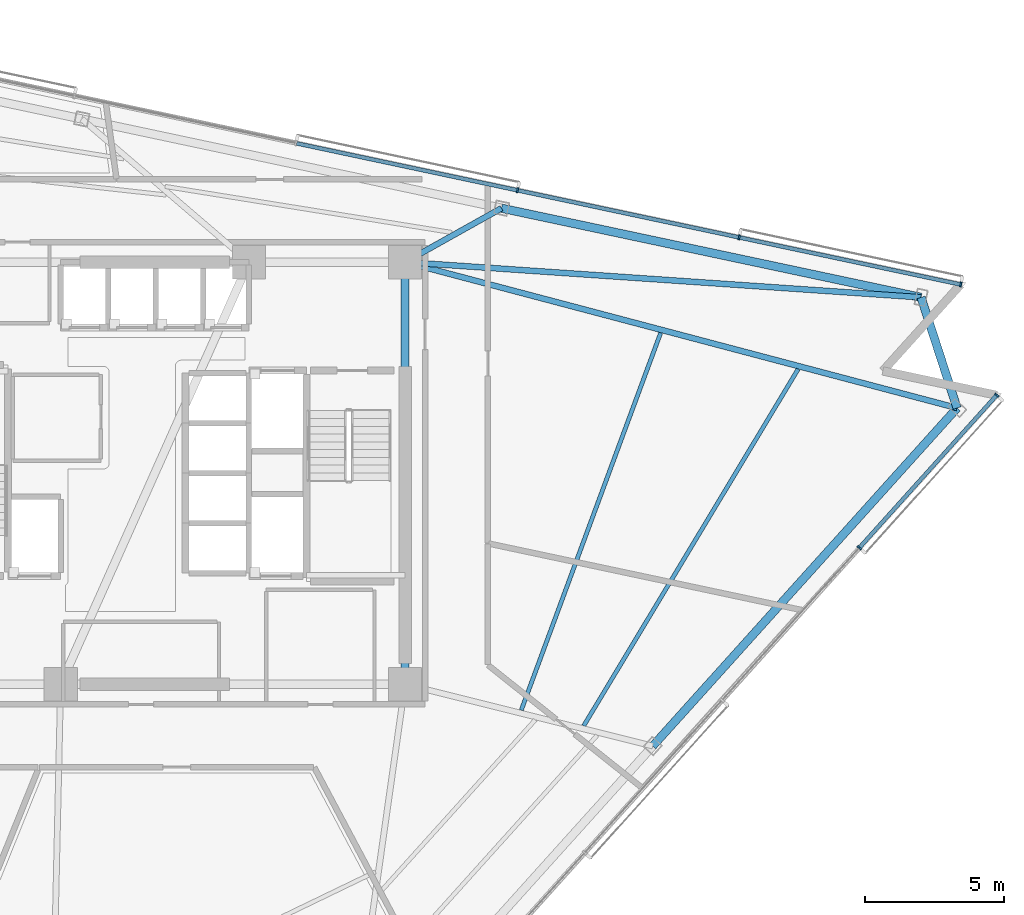
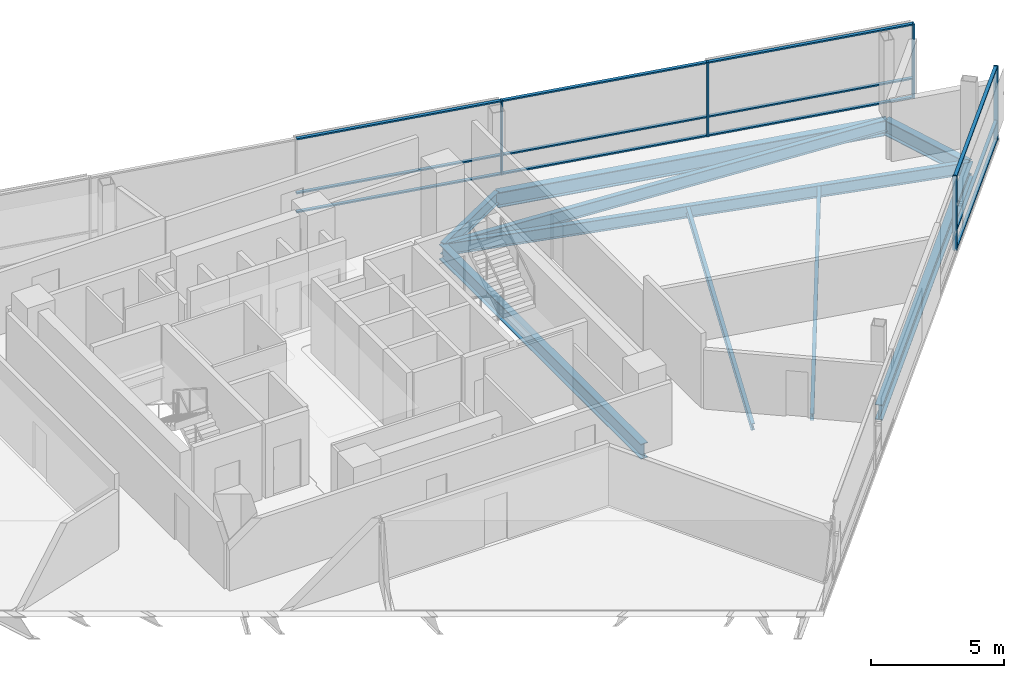
# One storey, part 8 of 17: 17 members, 9 beams, 2 elements without a shape of their own.
"""IFC4 building model written with IfcOpenShell, lengths in metres."""

from ifc_helpers import new_model, si_unit, direction, frame, origin, origin_2d, place, context, subcontext, project, spatial, rectangle, i_section, extrude, material, layer, layer_set, material_profile, profile_set, type_object, element, aggregate, save


model = new_model("IFC4")

# Units and contexts
model_context = context("Model", 3, precision=1e-05, world=origin(), true_north=direction((0.0, 1.0)))
body_context = subcontext(model_context, "Body", "Model", "MODEL_VIEW")
ifc_project = project(units=[si_unit("LENGTHUNIT", "METRE"), si_unit("AREAUNIT", "SQUARE_METRE"), si_unit("VOLUMEUNIT", "CUBIC_METRE"), si_unit("PLANEANGLEUNIT", "RADIAN"), si_unit("MASSUNIT", "GRAM", prefix="KILO")], contexts=[model_context])

# Site, building, storey
site_placement = place(None, origin())
site = spatial("IfcSite", under=ifc_project, at=site_placement, CompositionType="ELEMENT")
building_placement = place(site_placement, origin())
building = spatial("IfcBuilding", under=site, at=building_placement, Name="Tharavind Bronze Gate", CompositionType="ELEMENT")
storey_placement = place(building_placement, frame((0.0, 0.0, 200.449951171875)))
storey = spatial("IfcBuildingStorey", under=building, at=storey_placement, Name="L51", CompositionType="ELEMENT", Elevation=200.449951171875)

# Curtain wall, members
ifc_material_1 = material(Name="Anodised Bronze Aluminium", Category="aluminium")
ifc_layer = layer(ifc_material_1, 0.219970703125)
ifc_layer_set = layer_set([ifc_layer], Name="Anodised Bronze Aluminium")
curtain_wall_type = type_object("IfcCurtainWallType", Name="UNITISED CURTAIN WALL MID OFFICE", PredefinedType="USERDEFINED", material=ifc_layer_set)
curtain_wall_1_placement = place(storey_placement, origin())
curtain_wall_1 = element("IfcCurtainWall", 1, at=curtain_wall_1_placement, inside=storey, type_object=curtain_wall_type, Name="L51 unitised curtain wall mid office CW-L51-S2", ObjectType="UNITISED CURTAIN WALL", PredefinedType="USERDEFINED")
member_type_1 = type_object("IfcMemberType", Name="CURTAIN WALL BRONZE MULLION 65X180", PredefinedType="MULLION", material=ifc_material_1)
member_1_placement = place(storey_placement, frame((25.2548828125, -2.680908203125, 0.0), z_axis=(0.0, 0.0, 1.0), x_axis=(0.669130606359, 0.743144825477, 0.0)))
member_1 = element("IfcMember", 2, at=member_1_placement, type_object=member_type_1, Name="CW-L51-S2 mullion 7", PredefinedType="MULLION", context=body_context, shape_type="SweptSolid", body=[
    extrude(rectangle(XDim=0.06494140625, YDim=0.179931640625, at=origin_2d()), origin(), (0.0, 0.0, 1.0), 3.419921875),
])
member_2_placement = place(storey_placement, frame((30.199462890625, 2.810546875, 0.0), z_axis=(0.0, 0.0, 1.0), x_axis=(0.669130606359, 0.743144825477, 0.0)))
member_2 = element("IfcMember", 3, at=member_2_placement, type_object=member_type_1, Name="CW-L51-S2 mullion 8", PredefinedType="MULLION", context=body_context, shape_type="SweptSolid", body=[
    extrude(rectangle(XDim=0.06494140625, YDim=0.179931640625, at=origin_2d()), origin(), (0.0, 0.0, 1.0), 3.419921875),
])

curtain_wall_2_placement = place(storey_placement, origin())
curtain_wall_2 = element("IfcCurtainWall", 4, at=curtain_wall_2_placement, inside=storey, type_object=curtain_wall_type, Name="L51 unitised curtain wall mid office CW-L51-S3", ObjectType="UNITISED CURTAIN WALL", PredefinedType="USERDEFINED")
member_3_placement = place(storey_placement, frame((28.9052734375, 6.793701171875, 0.0), z_axis=(0.0, 0.0, 1.0), x_axis=(-0.978147600734, 0.207911690818, 0.0)))
member_3 = element("IfcMember", 5, at=member_3_placement, type_object=member_type_1, Name="CW-L51-S3 mullion 1", PredefinedType="MULLION", context=body_context, shape_type="SweptSolid", body=[
    extrude(rectangle(XDim=0.06494140625, YDim=0.179931640625, at=origin_2d()), origin(), (0.0, 0.0, 1.0), 3.419921875),
])
member_4_placement = place(storey_placement, frame((20.927734375, 8.4892578125, 0.0), z_axis=(0.0, 0.0, 1.0), x_axis=(-0.978147600734, 0.207911690818, 0.0)))
member_4 = element("IfcMember", 6, at=member_4_placement, type_object=member_type_1, Name="CW-L51-S3 mullion 2", PredefinedType="MULLION", context=body_context, shape_type="SweptSolid", body=[
    extrude(rectangle(XDim=0.06494140625, YDim=0.179931640625, at=origin_2d()), origin(), (0.0, 0.0, 1.0), 3.419921875),
])
member_5_placement = place(storey_placement, frame((12.9501953125, 10.184814453125, 0.0), z_axis=(0.0, 0.0, 1.0), x_axis=(-0.978147600734, 0.207911690818, 0.0)))
member_5 = element("IfcMember", 7, at=member_5_placement, type_object=member_type_1, Name="CW-L51-S3 mullion 3", PredefinedType="MULLION", context=body_context, shape_type="SweptSolid", body=[
    extrude(rectangle(XDim=0.06494140625, YDim=0.179931640625, at=origin_2d()), origin(), (0.0, 0.0, 1.0), 3.419921875),
])

# Member
member_type_2 = type_object("IfcMemberType", Name="CURTAIN WALL BRONZE TRANSOM 65X140", PredefinedType="USERDEFINED", material=ifc_material_1)
member_6_placement = place(storey_placement, frame((27.72705078125, 0.06494140625, 0.0), z_axis=(0.0, 0.0, 1.0), x_axis=(0.669130606359, 0.743144825477, 0.0)))
member_6 = element("IfcMember", 8, at=member_6_placement, type_object=member_type_2, Name="CW-L51-S2 transom TB7", ObjectType="TRANSOM", PredefinedType="USERDEFINED", context=body_context, shape_type="SweptSolid", body=[
    extrude(rectangle(XDim=7.33642578125, YDim=0.139892578125, at=origin_2d()), origin(), (0.0, 0.0, 1.0), 0.06494140625),
])

member_7_placement = place(storey_placement, frame((27.72705078125, 0.06494140625, 0.86767578125), z_axis=(0.0, 0.0, 1.0), x_axis=(0.669130606359, 0.743144825477, 0.0)))
member_7 = element("IfcMember", 9, at=member_7_placement, type_object=member_type_2, Name="CW-L51-S2 transom TS7", ObjectType="TRANSOM", PredefinedType="USERDEFINED", context=body_context, shape_type="SweptSolid", body=[
    extrude(rectangle(XDim=7.33642578125, YDim=0.139892578125, at=origin_2d()), origin(), (0.0, 0.0, 1.0), 0.06494140625),
])

member_8_placement = place(storey_placement, frame((27.72705078125, 0.06494140625, 3.35498046875), z_axis=(0.0, 0.0, 1.0), x_axis=(0.669130606359, 0.743144825477, 0.0)))
member_8 = element("IfcMember", 10, at=member_8_placement, type_object=member_type_2, Name="CW-L51-S2 transom TT7", ObjectType="TRANSOM", PredefinedType="USERDEFINED", context=body_context, shape_type="SweptSolid", body=[
    extrude(rectangle(XDim=7.33642578125, YDim=0.139892578125, at=origin_2d()), origin(), (0.0, 0.0, 1.0), 0.06494140625),
])

aggregate(curtain_wall_1, [member_1, member_2, member_6, member_7, member_8])

member_9_placement = place(storey_placement, frame((24.91650390625, 7.641357421875, 0.0), z_axis=(0.0, 0.0, 1.0), x_axis=(-0.978147600734, 0.207911690818, 0.0)))
member_9 = element("IfcMember", 11, at=member_9_placement, type_object=member_type_2, Name="CW-L51-S3 transom TB1", ObjectType="TRANSOM", PredefinedType="USERDEFINED", context=body_context, shape_type="SweptSolid", body=[
    extrude(rectangle(XDim=8.102783203125, YDim=0.139892578125, at=origin_2d()), origin(), (0.0, 0.0, 1.0), 0.06494140625),
])

member_10_placement = place(storey_placement, frame((24.91650390625, 7.641357421875, 0.86767578125), z_axis=(0.0, 0.0, 1.0), x_axis=(-0.978147600734, 0.207911690818, 0.0)))
member_10 = element("IfcMember", 12, at=member_10_placement, type_object=member_type_2, Name="CW-L51-S3 transom TS1", ObjectType="TRANSOM", PredefinedType="USERDEFINED", context=body_context, shape_type="SweptSolid", body=[
    extrude(rectangle(XDim=8.102783203125, YDim=0.139892578125, at=origin_2d()), origin(), (0.0, 0.0, 1.0), 0.06494140625),
])

member_11_placement = place(storey_placement, frame((24.91650390625, 7.641357421875, 3.35498046875), z_axis=(0.0, 0.0, 1.0), x_axis=(-0.978147600734, 0.207911690818, 0.0)))
member_11 = element("IfcMember", 13, at=member_11_placement, type_object=member_type_2, Name="CW-L51-S3 transom TT1", ObjectType="TRANSOM", PredefinedType="USERDEFINED", context=body_context, shape_type="SweptSolid", body=[
    extrude(rectangle(XDim=8.102783203125, YDim=0.139892578125, at=origin_2d()), origin(), (0.0, 0.0, 1.0), 0.06494140625),
])

member_12_placement = place(storey_placement, frame((16.93896484375, 9.337158203125, 0.0), z_axis=(0.0, 0.0, 1.0), x_axis=(-0.978147600734, 0.207911690818, 0.0)))
member_12 = element("IfcMember", 14, at=member_12_placement, type_object=member_type_2, Name="CW-L51-S3 transom TB2", ObjectType="TRANSOM", PredefinedType="USERDEFINED", context=body_context, shape_type="SweptSolid", body=[
    extrude(rectangle(XDim=8.102783203125, YDim=0.139892578125, at=origin_2d()), origin(), (0.0, 0.0, 1.0), 0.06494140625),
])

member_13_placement = place(storey_placement, frame((16.93896484375, 9.337158203125, 0.86767578125), z_axis=(0.0, 0.0, 1.0), x_axis=(-0.978147600734, 0.207911690818, 0.0)))
member_13 = element("IfcMember", 15, at=member_13_placement, type_object=member_type_2, Name="CW-L51-S3 transom TS2", ObjectType="TRANSOM", PredefinedType="USERDEFINED", context=body_context, shape_type="SweptSolid", body=[
    extrude(rectangle(XDim=8.102783203125, YDim=0.139892578125, at=origin_2d()), origin(), (0.0, 0.0, 1.0), 0.06494140625),
])

member_14_placement = place(storey_placement, frame((16.93896484375, 9.337158203125, 3.35498046875), z_axis=(0.0, 0.0, 1.0), x_axis=(-0.978147600734, 0.207911690818, 0.0)))
member_14 = element("IfcMember", 16, at=member_14_placement, type_object=member_type_2, Name="CW-L51-S3 transom TT2", ObjectType="TRANSOM", PredefinedType="USERDEFINED", context=body_context, shape_type="SweptSolid", body=[
    extrude(rectangle(XDim=8.102783203125, YDim=0.139892578125, at=origin_2d()), origin(), (0.0, 0.0, 1.0), 0.06494140625),
])

member_15_placement = place(storey_placement, frame((8.96142578125, 11.03271484375, 0.0), z_axis=(0.0, 0.0, 1.0), x_axis=(-0.978147600734, 0.207911690818, 0.0)))
member_15 = element("IfcMember", 17, at=member_15_placement, type_object=member_type_2, Name="CW-L51-S3 transom TB3", ObjectType="TRANSOM", PredefinedType="USERDEFINED", context=body_context, shape_type="SweptSolid", body=[
    extrude(rectangle(XDim=8.102783203125, YDim=0.139892578125, at=origin_2d()), origin(), (0.0, 0.0, 1.0), 0.06494140625),
])

member_16_placement = place(storey_placement, frame((8.96142578125, 11.03271484375, 0.86767578125), z_axis=(0.0, 0.0, 1.0), x_axis=(-0.978147600734, 0.207911690818, 0.0)))
member_16 = element("IfcMember", 18, at=member_16_placement, type_object=member_type_2, Name="CW-L51-S3 transom TS3", ObjectType="TRANSOM", PredefinedType="USERDEFINED", context=body_context, shape_type="SweptSolid", body=[
    extrude(rectangle(XDim=8.102783203125, YDim=0.139892578125, at=origin_2d()), origin(), (0.0, 0.0, 1.0), 0.06494140625),
])

member_17_placement = place(storey_placement, frame((8.96142578125, 11.03271484375, 3.35498046875), z_axis=(0.0, 0.0, 1.0), x_axis=(-0.978147600734, 0.207911690818, 0.0)))
member_17 = element("IfcMember", 19, at=member_17_placement, type_object=member_type_2, Name="CW-L51-S3 transom TT3", ObjectType="TRANSOM", PredefinedType="USERDEFINED", context=body_context, shape_type="SweptSolid", body=[
    extrude(rectangle(XDim=8.102783203125, YDim=0.139892578125, at=origin_2d()), origin(), (0.0, 0.0, 1.0), 0.06494140625),
])

aggregate(curtain_wall_2, [member_3, member_4, member_5, member_9, member_10, member_11, member_12, member_13, member_14, member_15, member_16, member_17])

# Beams
ifc_material_2 = material(Name="Steel S355", Category="steel")
ifc_material_profile_1 = material_profile(ifc_material_2, i_section(OverallWidth=0.2099609375, OverallDepth=0.550048828125, WebThickness=0.010986328125, FlangeThickness=0.01708984375, at=origin_2d()), Name="IPE550")
ifc_profile_set_1 = profile_set([ifc_material_profile_1], Name="Steel S355")
beam_type_1 = type_object("IfcBeamType", Name="PRIMARY GIRDER IPE550", PredefinedType="USERDEFINED", material=ifc_profile_set_1)
beam_1_placement = place(storey_placement, frame((28.772705078125, 2.34716796875, -0.454833984375), z_axis=(-0.966795643793, 0.255550744749, 0.0), x_axis=(-0.255550744749, -0.966795643793, 0.0)))
element("IfcBeam", 20, at=beam_1_placement, inside=storey, type_object=beam_type_1, Name="L51 primary girder ipe550 BM-L51-RAD08", ObjectType="GIRDER", PredefinedType="USERDEFINED", context=body_context, shape_type="SweptSolid", body=[
    extrude(i_section(OverallWidth=0.2099609375, OverallDepth=0.550048828125, WebThickness=0.010986328125, FlangeThickness=0.01708984375, at=origin_2d()), origin(), (0.0, 0.0, 1.0), 20.555419921875),
])
beam_2_placement = place(storey_placement, frame((27.478515625, 6.330078125, -0.454833984375), z_axis=(-0.997671665482, 0.068200057871, 0.0), x_axis=(-0.068200057871, -0.997671665482, 0.0)))
element("IfcBeam", 21, at=beam_2_placement, inside=storey, type_object=beam_type_1, Name="L51 primary girder ipe550 BM-L51-RAD09", ObjectType="GIRDER", PredefinedType="USERDEFINED", context=body_context, shape_type="SweptSolid", body=[
    extrude(i_section(OverallWidth=0.2099609375, OverallDepth=0.550048828125, WebThickness=0.010986328125, FlangeThickness=0.01708984375, at=origin_2d()), origin(), (0.0, 0.0, 1.0), 18.6220703125),
])
beam_3_placement = place(storey_placement, frame((12.370849609375, 9.54150390625, -0.454833984375), z_axis=(-0.872755044117, -0.488158409708, 0.0), x_axis=(0.488158409708, -0.872755044117, 0.0)))
element("IfcBeam", 22, at=beam_3_placement, inside=storey, type_object=beam_type_1, Name="L51 primary girder ipe550 BM-L51-RAD10", ObjectType="GIRDER", PredefinedType="USERDEFINED", context=body_context, shape_type="SweptSolid", body=[
    extrude(i_section(OverallWidth=0.2099609375, OverallDepth=0.550048828125, WebThickness=0.010986328125, FlangeThickness=0.01708984375, at=origin_2d()), origin(), (0.0, 0.0, 1.0), 3.97705078125),
])
ifc_material_profile_2 = material_profile(ifc_material_2, i_section(OverallWidth=0.300048828125, OverallDepth=0.699951171875, WebThickness=0.01708984375, FlangeThickness=0.031982421875, at=origin_2d()), Name="HE700B")
ifc_profile_set_2 = profile_set([ifc_material_profile_2], Name="Steel S355")
beam_type_2 = type_object("IfcBeamType", Name="RING GIRDER HE700B", PredefinedType="USERDEFINED", material=ifc_profile_set_2)
beam_4_placement = place(storey_placement, frame((8.89990234375, -7.60009765625, -0.530029296875), z_axis=(0.0, 1.0, 0.0), x_axis=(-1.0, 0.0, 0.0)))
element("IfcBeam", 23, at=beam_4_placement, inside=storey, type_object=beam_type_2, Name="L51 ring girder he700b BM-L51-CR3", ObjectType="GIRDER", PredefinedType="USERDEFINED", context=body_context, shape_type="SweptSolid", body=[
    extrude(i_section(OverallWidth=0.300048828125, OverallDepth=0.699951171875, WebThickness=0.01708984375, FlangeThickness=0.031982421875, at=origin_2d()), origin(), (0.0, 0.0, 1.0), 15.2001953125),
])
beam_5_placement = place(storey_placement, frame((17.815185546875, -9.82275390625, -0.530029296875), z_axis=(0.669119566961, 0.743154765248, 0.0), x_axis=(-0.743154765248, 0.669119566961, 0.0)))
element("IfcBeam", 24, at=beam_5_placement, inside=storey, type_object=beam_type_2, Name="L51 ring girder he700b BM-L51-PRG07", ObjectType="GIRDER", PredefinedType="USERDEFINED", context=body_context, shape_type="SweptSolid", body=[
    extrude(i_section(OverallWidth=0.300048828125, OverallDepth=0.699951171875, WebThickness=0.01708984375, FlangeThickness=0.031982421875, at=origin_2d()), origin(), (0.0, 0.0, 1.0), 16.3759765625),
])
beam_6_placement = place(storey_placement, frame((28.772705078125, 2.34716796875, -0.530029296875), z_axis=(-0.309030708092, 0.951052060329, 0.0), x_axis=(-0.951052060329, -0.309030708092, 0.0)))
element("IfcBeam", 25, at=beam_6_placement, inside=storey, type_object=beam_type_2, Name="L51 ring girder he700b BM-L51-PRG08", ObjectType="GIRDER", PredefinedType="USERDEFINED", context=body_context, shape_type="SweptSolid", body=[
    extrude(i_section(OverallWidth=0.300048828125, OverallDepth=0.699951171875, WebThickness=0.01708984375, FlangeThickness=0.031982421875, at=origin_2d()), origin(), (0.0, 0.0, 1.0), 4.18798828125),
])
beam_7_placement = place(storey_placement, frame((27.478515625, 6.330078125, -0.530029296875), z_axis=(-0.978145069448, 0.207923599223, 0.0), x_axis=(-0.207923599223, -0.978145069448, 0.0)))
element("IfcBeam", 26, at=beam_7_placement, inside=storey, type_object=beam_type_2, Name="L51 ring girder he700b BM-L51-PRG09", ObjectType="GIRDER", PredefinedType="USERDEFINED", context=body_context, shape_type="SweptSolid", body=[
    extrude(i_section(OverallWidth=0.300048828125, OverallDepth=0.699951171875, WebThickness=0.01708984375, FlangeThickness=0.031982421875, at=origin_2d()), origin(), (0.0, 0.0, 1.0), 15.4453125),
])
ifc_material_profile_3 = material_profile(ifc_material_2, i_section(OverallWidth=0.14990234375, OverallDepth=0.300048828125, WebThickness=0.007080078125, FlangeThickness=0.0107421875, at=origin_2d()), Name="IPE300")
ifc_profile_set_3 = profile_set([ifc_material_profile_3], Name="Steel S355")
beam_type_3 = type_object("IfcBeamType", Name="SECONDARY FLOOR JOIST IPE300", PredefinedType="JOIST", material=ifc_profile_set_3)
beam_8_placement = place(storey_placement, frame((13.08349609375, -8.53076171875, -0.329833984375), z_axis=(0.346563730463, 0.938026428587, 0.0), x_axis=(-0.938026428587, 0.346563730463, 0.0)))
element("IfcBeam", 27, at=beam_8_placement, inside=storey, type_object=beam_type_3, Name="L51 secondary floor joist ipe300 BM-L51-JSTA07", PredefinedType="JOIST", context=body_context, shape_type="SweptSolid", body=[
    extrude(i_section(OverallWidth=0.14990234375, OverallDepth=0.300048828125, WebThickness=0.007080078125, FlangeThickness=0.0107421875, at=origin_2d()), origin(), (0.0, 0.0, 1.0), 14.48291015625),
])
beam_9_placement = place(storey_placement, frame((15.3330078125, -9.091796875, -0.329833984375), z_axis=(0.515205011559, 0.857066972917, 0.0), x_axis=(-0.857066972917, 0.515205011559, 0.0)))
element("IfcBeam", 28, at=beam_9_placement, inside=storey, type_object=beam_type_3, Name="L51 secondary floor joist ipe300 BM-L51-JSTB07", PredefinedType="JOIST", context=body_context, shape_type="SweptSolid", body=[
    extrude(i_section(OverallWidth=0.14990234375, OverallDepth=0.300048828125, WebThickness=0.007080078125, FlangeThickness=0.0107421875, at=origin_2d()), origin(), (0.0, 0.0, 1.0), 14.97998046875),
])

save(model, "model.ifc")
